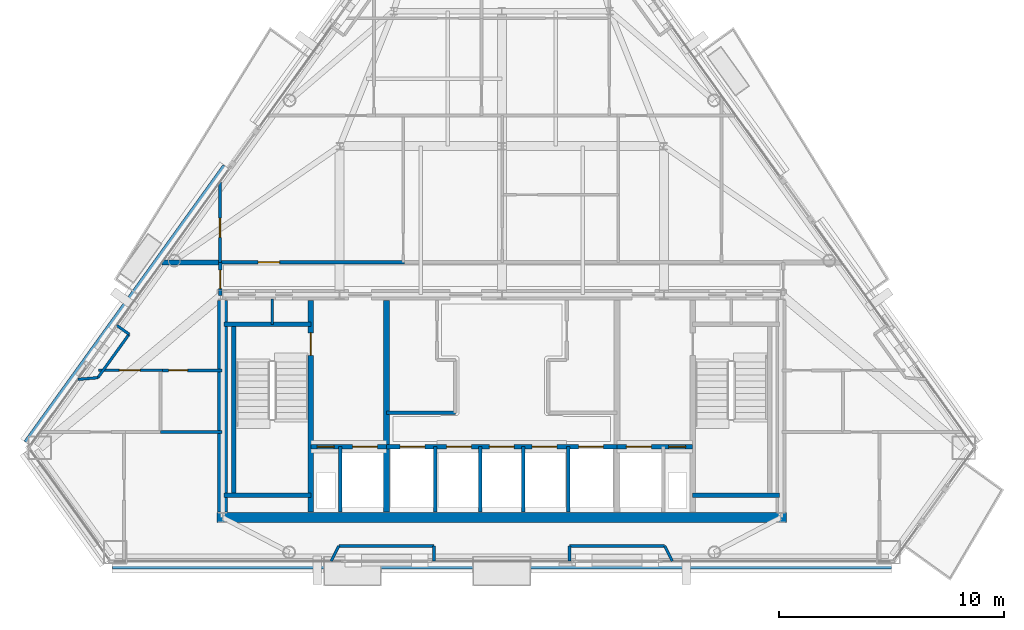
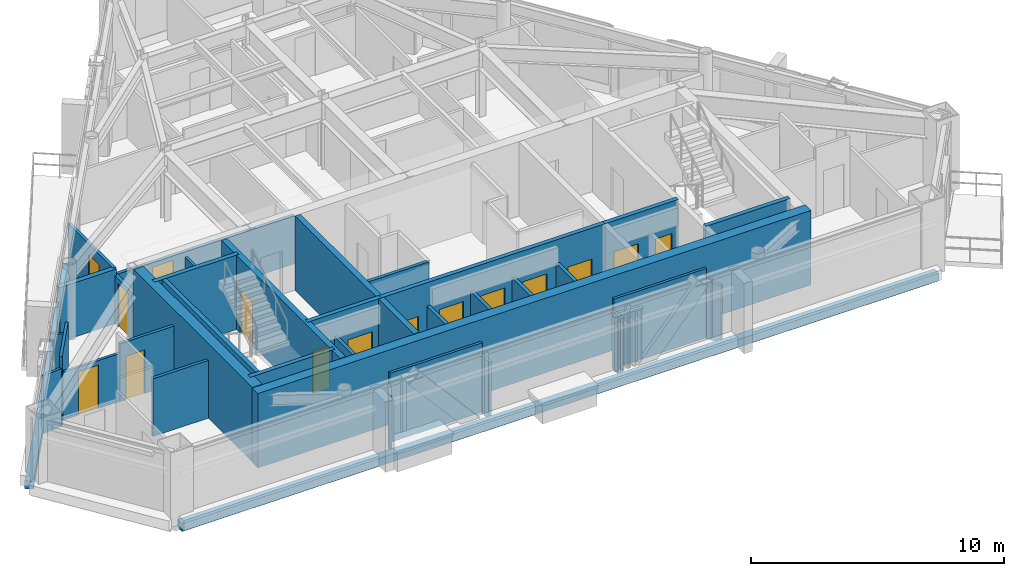
# One storey, part 7 of 12: 36 walls, 15 doors, 15 openings.
"""IFC4 building model written with IfcOpenShell, lengths in metres."""

from ifc_helpers import new_model, si_unit, direction, frame, frame_2d, origin, place, context, subcontext, project, spatial, rectangle, extrude, material, layer, layer_set, type_object, element, fill, save


model = new_model("IFC4")

# Units and contexts
model_context = context("Model", 3, precision=1e-05, world=origin(), true_north=direction((0.0, 1.0)))
body_context = subcontext(model_context, "Body", "Model", "MODEL_VIEW")
ifc_project = project(units=[si_unit("LENGTHUNIT", "METRE"), si_unit("AREAUNIT", "SQUARE_METRE"), si_unit("VOLUMEUNIT", "CUBIC_METRE"), si_unit("PLANEANGLEUNIT", "RADIAN"), si_unit("MASSUNIT", "GRAM", prefix="KILO")], contexts=[model_context])

# Site, building, storey
site_placement = place(None, origin())
site = spatial("IfcSite", under=ifc_project, at=site_placement, CompositionType="ELEMENT")
building_placement = place(site_placement, origin())
building = spatial("IfcBuilding", under=site, at=building_placement, Name="Talgorran Terracotta Tower", CompositionType="ELEMENT")
storey_placement = place(building_placement, frame((0.0, 0.0, 192.89990234375)))
storey = spatial("IfcBuildingStorey", under=building, at=storey_placement, Name="L50", CompositionType="ELEMENT", Elevation=192.89990234375)

# Walls
ifc_material_1 = material(Name="Concrete C50/60", Category="concrete")
ifc_layer_1 = layer(ifc_material_1, 0.199951171875, Name="WT_CORE_200")
ifc_layer_set_1 = layer_set([ifc_layer_1], Name="Concrete C50/60")
wall_type_1 = type_object("IfcWallType", Name="WT_CORE_200", PredefinedType="SOLIDWALL", material=ifc_layer_set_1)
for number, where, z_axis, x_axis, name in (
    (1, (-12.35009765625, -5.52001953125, 0.0), (0.0, 0.0, 1.0), (1.0, 0.0, 0.0), "WL-L50-CW-ST1-N"),
    (2, (-12.35009765625, -13.10009765625, 0.0), (0.0, 0.0, 1.0), (1.0, 0.0, 0.0), "WL-L50-CW-ST1-S"),
):
    element("IfcWall", number, at=place(storey_placement, frame(where, z_axis=z_axis, x_axis=x_axis)), inside=storey, type_object=wall_type_1, Name=name, PredefinedType="SOLIDWALL", context=body_context, shape_type="SweptSolid", body=[
        extrude(rectangle(XDim=3.8701171875, YDim=0.199951171875, at=frame_2d((1.93505859375, 0.0))), origin(), (0.0, 0.0, 1.0), 3.60009765625),
    ])
wall_1_placement = place(storey_placement, frame((-11.89990234375, -13.10009765625, 0.0), z_axis=(0.0, 0.0, 1.0), x_axis=(0.0, 1.0, 0.0)))
element("IfcWall", 3, at=wall_1_placement, inside=storey, type_object=wall_type_1, Name="WL-L50-CW-ST1-W", PredefinedType="SOLIDWALL", context=body_context, shape_type="SweptSolid", body=[
    extrude(rectangle(XDim=7.580078125, YDim=0.199951171875, at=frame_2d((3.7900390625, 0.0))), origin(), (0.0, 0.0, 1.0), 3.60009765625),
])
wall_2_placement = place(storey_placement, frame((8.47998046875, -13.10009765625, 0.0), z_axis=(0.0, 0.0, 1.0), x_axis=(1.0, 0.0, 0.0)))
element("IfcWall", 4, at=wall_2_placement, inside=storey, type_object=wall_type_1, Name="WL-L50-CW-ST2-S", PredefinedType="SOLIDWALL", context=body_context, shape_type="SweptSolid", body=[
    extrude(rectangle(XDim=3.8701171875, YDim=0.199951171875, at=frame_2d((1.93505859375, 0.0))), origin(), (0.0, 0.0, 1.0), 3.60009765625),
])

# Wall, openings, doors
wall_3_placement = place(storey_placement, frame((-8.47998046875, -10.949951171875, 0.0), z_axis=(0.0, 0.0, 1.0), x_axis=(1.0, 0.0, 0.0)))
wall_3 = element("IfcWall", 5, at=wall_3_placement, inside=storey, type_object=wall_type_1, Name="WL-L50-CW-H-SBW", PredefinedType="SOLIDWALL", context=body_context, shape_type="SweptSolid", body=[
    extrude(rectangle(XDim=3.35986328125, YDim=0.199951171875, at=frame_2d((1.679931640625, 0.0))), origin(), (0.0, 0.0, 1.0), 3.60009765625),
])
opening_1_placement = place(wall_3_placement, frame((0.280029296875, 0.0, 0.0)))
opening_1 = element("IfcOpeningElement", 6, at=opening_1_placement, cuts=wall_3, Name="Opening DR-RSW", PredefinedType="OPENING", context=body_context, shape_type="SweptSolid", body=[
    extrude(rectangle(XDim=0.756, YDim=2.054048828125, at=frame_2d((0.375, 1.027099609375))), frame((0.0, 0.10986328125, 0.0), z_axis=(0.0, -1.0, 0.0), x_axis=(1.0, 0.0, 0.0)), (0.0, 0.0, 1.0), 0.219970703125),
])
opening_2_placement = place(wall_3_placement, frame((1.85009765625, 0.0, 0.0)))
opening_2 = element("IfcOpeningElement", 7, at=opening_2_placement, cuts=wall_3, Name="Opening LD-FFL1", PredefinedType="OPENING", context=body_context, shape_type="SweptSolid", body=[
    extrude(rectangle(XDim=1.10609765625, YDim=2.10409765625, at=frame_2d((0.550048828125, 1.052001953125))), frame((0.0, 0.10986328125, 0.0), z_axis=(0.0, -1.0, 0.0), x_axis=(1.0, 0.0, 0.0)), (0.0, 0.0, 1.0), 0.219970703125),
])
ifc_material_2 = material(Name="Brushed Stainless Steel Grade 304", Category="steel")
door_type_1 = type_object("IfcDoorType", Name="DT_LIFT_LD1100", OperationType="DOUBLE_DOOR_SLIDING", PredefinedType="DOOR", material=ifc_material_2)
door_1_placement = place(opening_2_placement, origin())
door_1 = element("IfcDoor", 8, at=door_1_placement, inside=storey, type_object=door_type_1, Name="L50 Lift Landing Door LD-FFL1", OperationType="DOUBLE_DOOR_SLIDING", OverallHeight=2.10009765625, OverallWidth=1.10009765625, PredefinedType="DOOR", context=body_context, shape_type="SweptSolid", body=[
    extrude(rectangle(XDim=1.10009765625, YDim=2.10009765625, at=frame_2d((0.550048828125, 1.050048828125))), frame((0.0, 0.02490234375, 0.0), z_axis=(0.0, -1.0, 0.0), x_axis=(1.0, 0.0, 0.0)), (0.0, 0.0, 1.0), 0.050048828125),
])
fill(opening_2, door_1)
ifc_material_3 = material(Name="Fire-Rated Pressed Steel", Category="steel")
door_type_2 = type_object("IfcDoorType", Name="DT_RISER_750", OperationType="NOTDEFINED", PredefinedType="DOOR", material=ifc_material_3)
door_2_placement = place(opening_1_placement, origin())
door_2 = element("IfcDoor", 9, at=door_2_placement, inside=storey, type_object=door_type_2, Name="DR-RSW", OperationType="SINGLE_SWING_LEFT", OverallHeight=2.050048828125, OverallWidth=0.75, PredefinedType="DOOR", context=body_context, shape_type="SweptSolid", body=[
    extrude(rectangle(XDim=0.75, YDim=2.050048828125, at=frame_2d((0.375, 1.02490234375))), frame((0.0, 0.02490234375, 0.0), z_axis=(0.0, -1.0, 0.0), x_axis=(1.0, 0.0, 0.0)), (0.0, 0.0, 1.0), 0.050048828125),
])
fill(opening_1, door_2)

wall_4_placement = place(storey_placement, frame((-5.1201171875, -10.949951171875, 0.0), z_axis=(0.0, 0.0, 1.0), x_axis=(1.0, 0.0, 0.0)))
wall_4 = element("IfcWall", 10, at=wall_4_placement, inside=storey, type_object=wall_type_1, Name="WL-L50-CW-H-SBC", PredefinedType="SOLIDWALL", context=body_context, shape_type="SweptSolid", body=[
    extrude(rectangle(XDim=10.240234375, YDim=0.199951171875, at=frame_2d((5.1201171875, 0.0))), origin(), (0.0, 0.0, 1.0), 3.60009765625),
])
opening_3_placement = place(wall_4_placement, frame((0.60009765625, 0.0, 0.0)))
opening_3 = element("IfcOpeningElement", 11, at=opening_3_placement, cuts=wall_4, Name="Opening LD-OB1", PredefinedType="OPENING", context=body_context, shape_type="SweptSolid", body=[
    extrude(rectangle(XDim=1.10609765625, YDim=2.10409765625, at=frame_2d((0.550048828125, 1.052001953125))), frame((0.0, 0.10986328125, 0.0), z_axis=(0.0, -1.0, 0.0), x_axis=(1.0, 0.0, 0.0)), (0.0, 0.0, 1.0), 0.219970703125),
])
opening_4_placement = place(wall_4_placement, frame((2.669921875, 0.0, 0.0)))
opening_4 = element("IfcOpeningElement", 12, at=opening_4_placement, cuts=wall_4, Name="Opening LD-PLH1", PredefinedType="OPENING", context=body_context, shape_type="SweptSolid", body=[
    extrude(rectangle(XDim=1.10609765625, YDim=2.10409765625, at=frame_2d((0.550048828125, 1.052001953125))), frame((0.0, 0.10986328125, 0.0), z_axis=(0.0, -1.0, 0.0), x_axis=(1.0, 0.0, 0.0)), (0.0, 0.0, 1.0), 0.219970703125),
])
opening_5_placement = place(wall_4_placement, frame((4.570068359375, 0.0, 0.0)))
opening_5 = element("IfcOpeningElement", 13, at=opening_5_placement, cuts=wall_4, Name="Opening LD-PLH2", PredefinedType="OPENING", context=body_context, shape_type="SweptSolid", body=[
    extrude(rectangle(XDim=1.10609765625, YDim=2.10409765625, at=frame_2d((0.550048828125, 1.052001953125))), frame((0.0, 0.10986328125, 0.0), z_axis=(0.0, -1.0, 0.0), x_axis=(1.0, 0.0, 0.0)), (0.0, 0.0, 1.0), 0.219970703125),
])
opening_6_placement = place(wall_4_placement, frame((6.469970703125, 0.0, 0.0)))
opening_6 = element("IfcOpeningElement", 14, at=opening_6_placement, cuts=wall_4, Name="Opening LD-PLH3", PredefinedType="OPENING", context=body_context, shape_type="SweptSolid", body=[
    extrude(rectangle(XDim=1.10609765625, YDim=2.10409765625, at=frame_2d((0.550048828125, 1.052001953125))), frame((0.0, 0.10986328125, 0.0), z_axis=(0.0, -1.0, 0.0), x_axis=(1.0, 0.0, 0.0)), (0.0, 0.0, 1.0), 0.219970703125),
])
opening_7_placement = place(wall_4_placement, frame((8.5400390625, 0.0, 0.0)))
opening_7 = element("IfcOpeningElement", 15, at=opening_7_placement, cuts=wall_4, Name="Opening LD-SVL1", PredefinedType="OPENING", context=body_context, shape_type="SweptSolid", body=[
    extrude(rectangle(XDim=1.10609765625, YDim=2.10409765625, at=frame_2d((0.550048828125, 1.052001953125))), frame((0.0, 0.10986328125, 0.0), z_axis=(0.0, -1.0, 0.0), x_axis=(1.0, 0.0, 0.0)), (0.0, 0.0, 1.0), 0.219970703125),
])
door_3_placement = place(opening_3_placement, origin())
door_3 = element("IfcDoor", 16, at=door_3_placement, inside=storey, type_object=door_type_1, Name="L50 Lift Landing Door LD-OB1", OperationType="DOUBLE_DOOR_SLIDING", OverallHeight=2.10009765625, OverallWidth=1.10009765625, PredefinedType="DOOR", context=body_context, shape_type="SweptSolid", body=[
    extrude(rectangle(XDim=1.10009765625, YDim=2.10009765625, at=frame_2d((0.550048828125, 1.050048828125))), frame((0.0, 0.02490234375, 0.0), z_axis=(0.0, -1.0, 0.0), x_axis=(1.0, 0.0, 0.0)), (0.0, 0.0, 1.0), 0.050048828125),
])
fill(opening_3, door_3)
door_4_placement = place(opening_4_placement, origin())
door_4 = element("IfcDoor", 17, at=door_4_placement, inside=storey, type_object=door_type_1, Name="L50 Lift Landing Door LD-PLH1", OperationType="DOUBLE_DOOR_SLIDING", OverallHeight=2.10009765625, OverallWidth=1.10009765625, PredefinedType="DOOR", context=body_context, shape_type="SweptSolid", body=[
    extrude(rectangle(XDim=1.10009765625, YDim=2.10009765625, at=frame_2d((0.550048828125, 1.050048828125))), frame((0.0, 0.02490234375, 0.0), z_axis=(0.0, -1.0, 0.0), x_axis=(1.0, 0.0, 0.0)), (0.0, 0.0, 1.0), 0.050048828125),
])
fill(opening_4, door_4)
door_5_placement = place(opening_5_placement, origin())
door_5 = element("IfcDoor", 18, at=door_5_placement, inside=storey, type_object=door_type_1, Name="L50 Lift Landing Door LD-PLH2", OperationType="DOUBLE_DOOR_SLIDING", OverallHeight=2.10009765625, OverallWidth=1.10009765625, PredefinedType="DOOR", context=body_context, shape_type="SweptSolid", body=[
    extrude(rectangle(XDim=1.10009765625, YDim=2.10009765625, at=frame_2d((0.550048828125, 1.050048828125))), frame((0.0, 0.02490234375, 0.0), z_axis=(0.0, -1.0, 0.0), x_axis=(1.0, 0.0, 0.0)), (0.0, 0.0, 1.0), 0.050048828125),
])
fill(opening_5, door_5)
door_6_placement = place(opening_6_placement, origin())
door_6 = element("IfcDoor", 19, at=door_6_placement, inside=storey, type_object=door_type_1, Name="L50 Lift Landing Door LD-PLH3", OperationType="DOUBLE_DOOR_SLIDING", OverallHeight=2.10009765625, OverallWidth=1.10009765625, PredefinedType="DOOR", context=body_context, shape_type="SweptSolid", body=[
    extrude(rectangle(XDim=1.10009765625, YDim=2.10009765625, at=frame_2d((0.550048828125, 1.050048828125))), frame((0.0, 0.02490234375, 0.0), z_axis=(0.0, -1.0, 0.0), x_axis=(1.0, 0.0, 0.0)), (0.0, 0.0, 1.0), 0.050048828125),
])
fill(opening_6, door_6)
door_7_placement = place(opening_7_placement, origin())
door_7 = element("IfcDoor", 20, at=door_7_placement, inside=storey, type_object=door_type_1, Name="L50 Lift Landing Door LD-SVL1", OperationType="DOUBLE_DOOR_SLIDING", OverallHeight=2.10009765625, OverallWidth=1.10009765625, PredefinedType="DOOR", context=body_context, shape_type="SweptSolid", body=[
    extrude(rectangle(XDim=1.10009765625, YDim=2.10009765625, at=frame_2d((0.550048828125, 1.050048828125))), frame((0.0, 0.02490234375, 0.0), z_axis=(0.0, -1.0, 0.0), x_axis=(1.0, 0.0, 0.0)), (0.0, 0.0, 1.0), 0.050048828125),
])
fill(opening_7, door_7)

wall_5_placement = place(storey_placement, frame((5.1201171875, -10.949951171875, 0.0), z_axis=(0.0, 0.0, 1.0), x_axis=(1.0, 0.0, 0.0)))
wall_5 = element("IfcWall", 21, at=wall_5_placement, inside=storey, type_object=wall_type_1, Name="WL-L50-CW-H-SBE", PredefinedType="SOLIDWALL", context=body_context, shape_type="SweptSolid", body=[
    extrude(rectangle(XDim=3.35986328125, YDim=0.199951171875, at=frame_2d((1.679931640625, 0.0))), origin(), (0.0, 0.0, 1.0), 3.60009765625),
])
opening_8_placement = place(wall_5_placement, frame((0.419921875, 0.0, 0.0)))
opening_8 = element("IfcOpeningElement", 22, at=opening_8_placement, cuts=wall_5, Name="Opening LD-FFL2", PredefinedType="OPENING", context=body_context, shape_type="SweptSolid", body=[
    extrude(rectangle(XDim=1.10609765625, YDim=2.10409765625, at=frame_2d((0.550048828125, 1.052001953125))), frame((0.0, 0.10986328125, 0.0), z_axis=(0.0, -1.0, 0.0), x_axis=(1.0, 0.0, 0.0)), (0.0, 0.0, 1.0), 0.219970703125),
])
opening_9_placement = place(wall_5_placement, frame((2.300048828125, 0.0, 0.0)))
opening_9 = element("IfcOpeningElement", 23, at=opening_9_placement, cuts=wall_5, Name="Opening DR-RSE", PredefinedType="OPENING", context=body_context, shape_type="SweptSolid", body=[
    extrude(rectangle(XDim=0.756, YDim=2.054048828125, at=frame_2d((0.375, 1.027099609375))), frame((0.0, 0.10986328125, 0.0), z_axis=(0.0, -1.0, 0.0), x_axis=(1.0, 0.0, 0.0)), (0.0, 0.0, 1.0), 0.219970703125),
])
door_8_placement = place(opening_8_placement, origin())
door_8 = element("IfcDoor", 24, at=door_8_placement, inside=storey, type_object=door_type_1, Name="L50 Lift Landing Door LD-FFL2", OperationType="DOUBLE_DOOR_SLIDING", OverallHeight=2.10009765625, OverallWidth=1.10009765625, PredefinedType="DOOR", context=body_context, shape_type="SweptSolid", body=[
    extrude(rectangle(XDim=1.10009765625, YDim=2.10009765625, at=frame_2d((0.550048828125, 1.050048828125))), frame((0.0, 0.02490234375, 0.0), z_axis=(0.0, -1.0, 0.0), x_axis=(1.0, 0.0, 0.0)), (0.0, 0.0, 1.0), 0.050048828125),
])
fill(opening_8, door_8)
door_9_placement = place(opening_9_placement, origin())
door_9 = element("IfcDoor", 25, at=door_9_placement, inside=storey, type_object=door_type_2, Name="DR-RSE", OperationType="SINGLE_SWING_RIGHT", OverallHeight=2.050048828125, OverallWidth=0.75, PredefinedType="DOOR", context=body_context, shape_type="SweptSolid", body=[
    extrude(rectangle(XDim=0.75, YDim=2.050048828125, at=frame_2d((0.375, 1.02490234375))), frame((0.0, 0.02490234375, 0.0), z_axis=(0.0, -1.0, 0.0), x_axis=(1.0, 0.0, 0.0)), (0.0, 0.0, 1.0), 0.050048828125),
])
fill(opening_9, door_9)

# Wall, opening, door
ifc_layer_2 = layer(ifc_material_1, 0.25, Name="WT_CORE_250")
ifc_layer_set_2 = layer_set([ifc_layer_2], Name="Concrete C50/60")
wall_type_2 = type_object("IfcWallType", Name="WT_CORE_250", PredefinedType="SHEAR", material=ifc_layer_set_2)
wall_6_placement = place(storey_placement, frame((-8.47998046875, -13.85009765625, 0.0), z_axis=(0.0, 0.0, 1.0), x_axis=(0.0, 1.0, 0.0)))
wall_6 = element("IfcWall", 26, at=wall_6_placement, inside=storey, type_object=wall_type_2, Name="WL-L50-CW-V-W1", PredefinedType="SHEAR", context=body_context, shape_type="SweptSolid", body=[
    extrude(rectangle(XDim=9.400146484375, YDim=0.25, at=frame_2d((4.7001953125, 0.0))), origin(), (0.0, 0.0, 1.0), 3.60009765625),
])
opening_10_placement = place(wall_6_placement, frame((6.949951171875, 0.0, 0.0)))
opening_10 = element("IfcOpeningElement", 27, at=opening_10_placement, cuts=wall_6, Name="Opening DR-ST01", PredefinedType="OPENING", context=body_context, shape_type="SweptSolid", body=[
    extrude(rectangle(XDim=1.006, YDim=2.10409765625, at=frame_2d((0.5, 1.052001953125))), frame((0.0, 0.135009765625, 0.0), z_axis=(0.0, -1.0, 0.0), x_axis=(1.0, 0.0, 0.0)), (0.0, 0.0, 1.0), 0.27001953125),
])
door_type_3 = type_object("IfcDoorType", Name="DT_FIRE_1000", OperationType="NOTDEFINED", PredefinedType="DOOR", material=ifc_material_3)
door_10_placement = place(opening_10_placement, origin())
door_10 = element("IfcDoor", 28, at=door_10_placement, inside=storey, type_object=door_type_3, Name="DR-ST01", OperationType="SINGLE_SWING_LEFT", OverallHeight=2.10009765625, OverallWidth=1.0, PredefinedType="DOOR", context=body_context, shape_type="SweptSolid", body=[
    extrude(rectangle(XDim=1.0, YDim=2.10009765625, at=frame_2d((0.5, 1.050048828125))), frame((0.0, 0.02490234375, 0.0), z_axis=(0.0, -1.0, 0.0), x_axis=(1.0, 0.0, 0.0)), (0.0, 0.0, 1.0), 0.050048828125),
])
fill(opening_10, door_10)

# Walls
wall_7_placement = place(storey_placement, frame((-5.1201171875, -13.85009765625, 0.0), z_axis=(0.0, 0.0, 1.0), x_axis=(0.0, 1.0, 0.0)))
element("IfcWall", 29, at=wall_7_placement, inside=storey, type_object=wall_type_2, Name="WL-L50-CW-V-W2", PredefinedType="SHEAR", context=body_context, shape_type="SweptSolid", body=[
    extrude(rectangle(XDim=9.400146484375, YDim=0.25, at=frame_2d((4.7001953125, 0.0))), origin(), (0.0, 0.0, 1.0), 3.60009765625),
])
ifc_material_4 = material(Name="Concrete C65/80", Category="concrete")
ifc_layer_3 = layer(ifc_material_4, 0.449951171875, Name="WT_CORE_EXT")
ifc_layer_set_3 = layer_set([ifc_layer_3], Name="Concrete C65/80")
wall_type_3 = type_object("IfcWallType", Name="WT_CORE_EXT", PredefinedType="SHEAR", material=ifc_layer_set_3)
wall_8_placement = place(storey_placement, frame((-12.64990234375, -14.10009765625, 0.0), z_axis=(0.0, 0.0, 1.0), x_axis=(1.0, 0.0, 0.0)))
element("IfcWall", 30, at=wall_8_placement, inside=storey, type_object=wall_type_3, Name="WL-L50-CW-OUT-S", PredefinedType="SHEAR", context=body_context, shape_type="SweptSolid", body=[
    extrude(rectangle(XDim=25.2998046875, YDim=0.449951171875, at=frame_2d((12.64990234375, 0.0))), origin(), (0.0, 0.0, 1.0), 3.60009765625),
])
wall_9_placement = place(storey_placement, frame((-12.39990234375, -13.85009765625, 0.0), z_axis=(0.0, 0.0, 1.0), x_axis=(0.0, 1.0, 0.0)))
element("IfcWall", 31, at=wall_9_placement, inside=storey, type_object=wall_type_3, Name="WL-L50-CW-OUT-W", PredefinedType="SHEAR", context=body_context, shape_type="SweptSolid", body=[
    extrude(rectangle(XDim=9.400146484375, YDim=0.449951171875, at=frame_2d((4.7001953125, 0.0))), origin(), (0.0, 0.0, 1.0), 3.60009765625),
])
ifc_material_5 = material(Name="Fire-Rated Steel Stud Plasterboard", Category="steel")
ifc_layer_4 = layer(ifc_material_5, 0.14990234375, Name="WT_FIRE_150")
ifc_layer_set_4 = layer_set([ifc_layer_4], Name="Fire-Rated Steel Stud Plasterboard")
wall_type_4 = type_object("IfcWallType", Name="WT_FIRE_150", PredefinedType="PARTITIONING", material=ifc_layer_set_4)
wall_10_placement = place(storey_placement, frame((-5.1201171875, -9.449951171875, 0.0), z_axis=(0.0, 0.0, 1.0), x_axis=(1.0, 0.0, 0.0)))
element("IfcWall", 32, at=wall_10_placement, inside=storey, type_object=wall_type_4, Name="WL-L50-CW-H-W4N", PredefinedType="PARTITIONING", context=body_context, shape_type="SweptSolid", body=[
    extrude(rectangle(XDim=3.06005859375, YDim=0.14990234375, at=frame_2d((1.530029296875, 0.0))), origin(), (0.0, 0.0, 1.0), 3.35009765625),
])

# Wall, opening, door
wall_11_placement = place(storey_placement, frame((-12.5, -2.760009765625, 0.0), z_axis=(0.0, 0.0, 1.0), x_axis=(1.0, 0.0, 0.0)))
wall_11 = element("IfcWall", 33, at=wall_11_placement, inside=storey, type_object=wall_type_4, Name="WL-L50-W-L50-R03", PredefinedType="PARTITIONING", context=body_context, shape_type="SweptSolid", body=[
    extrude(rectangle(XDim=8.179931640625, YDim=0.14990234375, at=frame_2d((4.08984375, 0.0))), origin(), (0.0, 0.0, 1.0), 2.3251953125),
])
opening_11_placement = place(wall_11_placement, frame((1.677734375, 0.0, 0.0)))
opening_11 = element("IfcOpeningElement", 34, at=opening_11_placement, cuts=wall_11, Name="Opening DR-L50-R12", PredefinedType="OPENING", context=body_context, shape_type="SweptSolid", body=[
    extrude(rectangle(XDim=0.955951171875, YDim=2.10409765625, at=frame_2d((0.47509765625, 1.052001953125))), frame((0.0, 0.0849609375, 0.0), z_axis=(0.0, -1.0, 0.0), x_axis=(1.0, 0.0, 0.0)), (0.0, 0.0, 1.0), 0.169921875),
])
ifc_material_6 = material(Name="Fire-Rated Timber Core", Category="wood")
door_type_4 = type_object("IfcDoorType", Name="DT_FIRE_950", OperationType="NOTDEFINED", PredefinedType="DOOR", material=ifc_material_6)
door_11_placement = place(opening_11_placement, origin())
door_11 = element("IfcDoor", 35, at=door_11_placement, inside=storey, type_object=door_type_4, Name="DR-L50-R12", OperationType="SINGLE_SWING_RIGHT", OverallHeight=2.10009765625, OverallWidth=0.949951171875, PredefinedType="DOOR", context=body_context, shape_type="SweptSolid", body=[
    extrude(rectangle(XDim=0.949951171875, YDim=2.10009765625, at=frame_2d((0.47509765625, 1.050048828125))), frame((0.0, 0.02490234375, 0.0), z_axis=(0.0, -1.0, 0.0), x_axis=(1.0, 0.0, 0.0)), (0.0, 0.0, 1.0), 0.050048828125),
])
fill(opening_11, door_11)

wall_12_placement = place(storey_placement, frame((-12.5, -4.239990234375, 0.0), z_axis=(0.0, 0.0, 1.0), x_axis=(0.0, 1.0, 0.0)))
wall_12 = element("IfcWall", 36, at=wall_12_placement, inside=storey, type_object=wall_type_4, Name="WL-L50-W-L50-R01", PredefinedType="PARTITIONING", context=body_context, shape_type="SweptSolid", body=[
    extrude(rectangle(XDim=1.47998046875, YDim=0.14990234375, at=frame_2d((0.739990234375, 0.0))), origin(), (0.0, 0.0, 1.0), 2.3251953125),
])
opening_12_placement = place(wall_12_placement, frame((0.31494140625, 0.0, 0.0)))
opening_12 = element("IfcOpeningElement", 37, at=opening_12_placement, cuts=wall_12, Name="Opening DR-L50-R01", PredefinedType="OPENING", context=body_context, shape_type="SweptSolid", body=[
    extrude(rectangle(XDim=0.826068359375, YDim=2.10409765625, at=frame_2d((0.41015625, 1.052001953125))), frame((0.0, 0.0849609375, 0.0), z_axis=(0.0, -1.0, 0.0), x_axis=(1.0, 0.0, 0.0)), (0.0, 0.0, 1.0), 0.169921875),
])
ifc_material_7 = material(Name="Moisture-Resistant Solid Timber", Category="wood")
door_type_5 = type_object("IfcDoorType", Name="DT_INT_820", OperationType="NOTDEFINED", PredefinedType="DOOR", material=ifc_material_7)
door_12_placement = place(opening_12_placement, origin())
door_12 = element("IfcDoor", 38, at=door_12_placement, inside=storey, type_object=door_type_5, Name="DR-L50-R01", OperationType="SINGLE_SWING_LEFT", OverallHeight=2.10009765625, OverallWidth=0.820068359375, PredefinedType="DOOR", context=body_context, shape_type="SweptSolid", body=[
    extrude(rectangle(XDim=0.820068359375, YDim=2.10009765625, at=frame_2d((0.41015625, 1.050048828125))), frame((0.0, 0.02490234375, 0.0), z_axis=(0.0, -1.0, 0.0), x_axis=(1.0, 0.0, 0.0)), (0.0, 0.0, 1.0), 0.050048828125),
])
fill(opening_12, door_12)

# Walls
ifc_material_8 = material(Name="Concrete C40/50", Category="concrete")
ifc_layer_5 = layer(ifc_material_8, 0.219970703125, Name="WT_PARAPET_RC")
ifc_layer_set_5 = layer_set([ifc_layer_5], Name="Concrete C40/50")
wall_type_5 = type_object("IfcWallType", Name="WT_PARAPET_RC", PredefinedType="PARAPET", material=ifc_layer_set_5)
wall_13_placement = place(storey_placement, frame((-17.3046875, -16.201171875, -0.199951171875), z_axis=(0.0, 0.0, 1.0), x_axis=(1.0, 0.0, 0.0)))
element("IfcWall", 39, at=wall_13_placement, inside=storey, type_object=wall_type_5, Name="L50 Striped Portal Precast Cornice F1", PredefinedType="PARAPET", context=body_context, shape_type="SweptSolid", body=[
    extrude(rectangle(XDim=34.609375, YDim=0.360107421875, at=frame_2d((17.3046875, 0.0))), origin(), (0.0, 0.0, 1.0), 0.380126953125),
])
wall_14_placement = place(storey_placement, frame((-12.2451171875, 1.47509765625, -0.199951171875), z_axis=(0.0, 0.0, 1.0), x_axis=(-0.583980615351, -0.811767602762, 0.0)))
element("IfcWall", 40, at=wall_14_placement, inside=storey, type_object=wall_type_5, Name="L50 Striped Portal Precast Cornice F61", PredefinedType="PARAPET", context=body_context, shape_type="SweptSolid", body=[
    extrude(rectangle(XDim=15.123046875, YDim=0.360107421875, at=frame_2d((7.5615234375, 0.0))), origin(), (0.0, 0.0, 1.0), 0.380126953125),
])
ifc_material_9 = material(Name="Acoustic Masonry and Plasterboard", Category="masonry")
ifc_layer_6 = layer(ifc_material_9, 0.219970703125, Name="WT_PARTY_220")
ifc_layer_set_6 = layer_set([ifc_layer_6], Name="Acoustic Masonry and Plasterboard")
wall_type_6 = type_object("IfcWallType", Name="WT_PARTY_220", PredefinedType="PARTITIONING", material=ifc_layer_set_6)
wall_15_placement = place(storey_placement, frame((-15.0947265625, -2.760009765625, 0.0), z_axis=(0.0, 0.0, 1.0), x_axis=(1.0, 0.0, 0.0)))
element("IfcWall", 41, at=wall_15_placement, inside=storey, type_object=wall_type_6, Name="WL-L50-W-L50-R10", PredefinedType="PARTITIONING", context=body_context, shape_type="SweptSolid", body=[
    extrude(rectangle(XDim=2.5947265625, YDim=0.219970703125, at=frame_2d((1.29736328125, 0.0))), origin(), (0.0, 0.0, 1.0), 2.625),
])
ifc_material_10 = material(Name="Insulated Steel Stud Plasterboard", Category="steel")
ifc_layer_7 = layer(ifc_material_10, 0.1201171875, Name="WT_PART_120")
ifc_layer_set_7 = layer_set([ifc_layer_7], Name="Insulated Steel Stud Plasterboard")
wall_type_7 = type_object("IfcWallType", Name="WT_PART_120", PredefinedType="PARTITIONING", material=ifc_layer_set_7)
wall_16_placement = place(storey_placement, frame((-10.199951171875, -5.52001953125, 0.0), z_axis=(0.0, 0.0, 1.0), x_axis=(0.0, 1.0, 0.0)))
element("IfcWall", 42, at=wall_16_placement, inside=storey, type_object=wall_type_7, Name="WL-L50-CW-CSW-DIV", PredefinedType="PARTITIONING", context=body_context, shape_type="SweptSolid", body=[
    extrude(rectangle(XDim=1.1201171875, YDim=0.1201171875, at=frame_2d((0.56005859375, 0.0))), origin(), (0.0, 0.0, 1.0), 3.35009765625),
])
for number, where, z_axis, x_axis, name in (
    (43, (-7.23828125, -15.361083984375, 0.0), (0.0, 0.0, 1.0), (1.0, 0.0, 0.0), "WL-L50-BW-L50-01"),
    (44, (3.006591796875, -15.361083984375, 0.0), (0.0, 0.0, 1.0), (1.0, 0.0, 0.0), "WL-L50-BW-L50-06"),
):
    element("IfcWall", number, at=place(storey_placement, frame(where, z_axis=z_axis, x_axis=x_axis)), inside=storey, type_object=wall_type_7, Name=name, PredefinedType="PARTITIONING", context=body_context, shape_type="SweptSolid", body=[
        extrude(rectangle(XDim=4.231689453125, YDim=0.1201171875, at=frame_2d((2.11572265625, 0.0))), origin(), (0.0, 0.0, 1.0), 3.35009765625),
    ])

# Wall, opening, door
wall_17_placement = place(storey_placement, frame((-17.919921875, -7.56005859375, 0.0), z_axis=(0.0, 0.0, 1.0), x_axis=(1.0, 0.0, 0.0)))
wall_17 = element("IfcWall", 45, at=wall_17_placement, inside=storey, type_object=wall_type_7, Name="WL-L50-W-L50-R09", PredefinedType="PARTITIONING", context=body_context, shape_type="SweptSolid", body=[
    extrude(rectangle(XDim=2.83984375, YDim=0.1201171875, at=frame_2d((1.419921875, 0.0))), origin(), (0.0, 0.0, 1.0), 2.3251953125),
])
opening_13_placement = place(wall_17_placement, frame((0.931884765625, 0.0, 0.0)))
opening_13 = element("IfcOpeningElement", 46, at=opening_13_placement, cuts=wall_17, Name="Opening DR-L50-R03", PredefinedType="OPENING", context=body_context, shape_type="SweptSolid", body=[
    extrude(rectangle(XDim=0.925921875, YDim=2.10409765625, at=frame_2d((0.4599609375, 1.052001953125))), frame((0.0, 0.070068359375, 0.0), z_axis=(0.0, -1.0, 0.0), x_axis=(1.0, 0.0, 0.0)), (0.0, 0.0, 1.0), 0.14013671875),
])
ifc_material_11 = material(Name="Solid-Core Painted Timber", Category="wood")
door_type_6 = type_object("IfcDoorType", Name="DT_INT_920", OperationType="NOTDEFINED", PredefinedType="DOOR", material=ifc_material_11)
door_13_placement = place(opening_13_placement, origin())
door_13 = element("IfcDoor", 47, at=door_13_placement, inside=storey, type_object=door_type_6, Name="DR-L50-R03", OperationType="SINGLE_SWING_LEFT", OverallHeight=2.10009765625, OverallWidth=0.919921875, PredefinedType="DOOR", context=body_context, shape_type="SweptSolid", body=[
    extrude(rectangle(XDim=0.919921875, YDim=2.10009765625, at=frame_2d((0.4599609375, 1.050048828125))), frame((0.0, 0.02490234375, 0.0), z_axis=(0.0, -1.0, 0.0), x_axis=(1.0, 0.0, 0.0)), (0.0, 0.0, 1.0), 0.050048828125),
])
fill(opening_13, door_13)

# Walls
wall_18_placement = place(storey_placement, frame((-16.55615234375, -5.955810546875, 0.0), z_axis=(0.0, 0.0, 1.0), x_axis=(-0.583963896956, -0.811779629611, 0.0)))
element("IfcWall", 48, at=wall_18_placement, inside=storey, type_object=wall_type_7, Name="WL-L50-BW-L50-08", PredefinedType="PARTITIONING", context=body_context, shape_type="SweptSolid", body=[
    extrude(rectangle(XDim=2.3779296875, YDim=0.1201171875, at=frame_2d((1.18896484375, 0.0))), origin(), (0.0, 0.0, 1.0), 3.35009765625),
])
wall_19_placement = place(storey_placement, frame((-17.94482421875, -7.88623046875, 0.0), z_axis=(0.0, 0.0, 1.0), x_axis=(-0.996387556444, -0.084922537432, 0.0)))
element("IfcWall", 49, at=wall_19_placement, inside=storey, type_object=wall_type_7, Name="WL-L50-BW-L50-09", PredefinedType="PARTITIONING", context=body_context, shape_type="SweptSolid", body=[
    extrude(rectangle(XDim=0.882568359375, YDim=0.1201171875, at=frame_2d((0.44140625, 0.0))), origin(), (0.0, 0.0, 1.0), 2.7919921875),
])
for number, where, z_axis, x_axis, name in (
    (50, (-7.576416015625, -16.031005859375, 0.0), (0.0, 0.0, 1.0), (0.450593916723, 0.892729030676, 0.0), "WL-L50-BW-L50-03"),
    (51, (7.23828125, -15.361083984375, 0.0), (0.0, 0.0, 1.0), (0.450593916723, -0.892729030676, 0.0), "WL-L50-BW-L50-04"),
):
    element("IfcWall", number, at=place(storey_placement, frame(where, z_axis=z_axis, x_axis=x_axis)), inside=storey, type_object=wall_type_7, Name=name, PredefinedType="PARTITIONING", context=body_context, shape_type="SweptSolid", body=[
        extrude(rectangle(XDim=0.75048828125, YDim=0.1201171875, at=frame_2d((0.375244140625, 0.0))), origin(), (0.0, 0.0, 1.0), 2.7919921875),
    ])
for number, where, z_axis, x_axis, name in (
    (52, (-3.006591796875, -15.361083984375, 0.0), (0.0, 0.0, 1.0), (0.0, -1.0, 0.0), "WL-L50-BW-L50-02"),
    (53, (3.006591796875, -16.031005859375, 0.0), (0.0, 0.0, 1.0), (0.0, 1.0, 0.0), "WL-L50-BW-L50-05"),
    (54, (-17.10009765625, -5.564697265625, 0.0), (0.0, 0.0, 1.0), (0.811907418628, -0.583786213932, 0.0), "WL-L50-BW-L50-07"),
):
    element("IfcWall", number, at=place(storey_placement, frame(where, z_axis=z_axis, x_axis=x_axis)), inside=storey, type_object=wall_type_7, Name=name, PredefinedType="PARTITIONING", context=body_context, shape_type="SweptSolid", body=[
        extrude(rectangle(XDim=0.669921875, YDim=0.1201171875, at=frame_2d((0.3349609375, 0.0))), origin(), (0.0, 0.0, 1.0), 2.7919921875),
    ])

# Wall, opening, door
ifc_material_12 = material(Name="Moisture-Resistant Stud Wall")
ifc_layer_8 = layer(ifc_material_12, 0.135009765625, Name="WT_PART_135")
ifc_layer_set_8 = layer_set([ifc_layer_8], Name="Moisture-Resistant Stud Wall")
wall_type_8 = type_object("IfcWallType", Name="WT_PART_135", PredefinedType="PARTITIONING", material=ifc_layer_set_8)
wall_20_placement = place(storey_placement, frame((-12.52001953125, -2.760009765625, 0.0), z_axis=(0.0, 0.0, 1.0), x_axis=(0.0, 1.0, 0.0)))
wall_20 = element("IfcWall", 55, at=wall_20_placement, inside=storey, type_object=wall_type_8, Name="WL-L50-W-L50-R24", PredefinedType="PARTITIONING", context=body_context, shape_type="SweptSolid", body=[
    extrude(rectangle(XDim=3.5791015625, YDim=0.135009765625, at=frame_2d((1.78955078125, 0.0))), origin(), (0.0, 0.0, 1.0), 2.625),
])
opening_14_placement = place(wall_20_placement, frame((1.114501953125, 0.0, 0.0)))
opening_14 = element("IfcOpeningElement", 56, at=opening_14_placement, cuts=wall_20, Name="Opening DR-L50-R11", PredefinedType="OPENING", context=body_context, shape_type="SweptSolid", body=[
    extrude(rectangle(XDim=0.85609765625, YDim=2.10409765625, at=frame_2d((0.425048828125, 1.052001953125))), frame((0.0, 0.07763671875, 0.0), z_axis=(0.0, -1.0, 0.0), x_axis=(1.0, 0.0, 0.0)), (0.0, 0.0, 1.0), 0.155029296875),
])
door_type_7 = type_object("IfcDoorType", Name="DT_INT_850", OperationType="NOTDEFINED", PredefinedType="DOOR", material=ifc_material_7)
door_14_placement = place(opening_14_placement, origin())
door_14 = element("IfcDoor", 57, at=door_14_placement, inside=storey, type_object=door_type_7, Name="DR-L50-R11", OperationType="SINGLE_SWING_LEFT", OverallHeight=2.10009765625, OverallWidth=0.85009765625, PredefinedType="DOOR", context=body_context, shape_type="SweptSolid", body=[
    extrude(rectangle(XDim=0.85009765625, YDim=2.10009765625, at=frame_2d((0.425048828125, 1.050048828125))), frame((0.0, 0.02490234375, 0.0), z_axis=(0.0, -1.0, 0.0), x_axis=(1.0, 0.0, 0.0)), (0.0, 0.0, 1.0), 0.050048828125),
])
fill(opening_14, door_14)

wall_21_placement = place(storey_placement, frame((-15.077880859375, -7.56005859375, 0.0), z_axis=(0.0, 0.0, 1.0), x_axis=(1.0, 0.0, 0.0)))
wall_21 = element("IfcWall", 58, at=wall_21_placement, inside=storey, type_object=wall_type_8, Name="WL-L50-W-L50-R08", PredefinedType="PARTITIONING", context=body_context, shape_type="SweptSolid", body=[
    extrude(rectangle(XDim=2.637939453125, YDim=0.135009765625, at=frame_2d((1.31884765625, 0.0))), origin(), (0.0, 0.0, 1.0), 2.7919921875),
])
opening_15_placement = place(wall_21_placement, frame((0.272216796875, 0.0, 0.0)))
opening_15 = element("IfcOpeningElement", 59, at=opening_15_placement, cuts=wall_21, Name="Opening DR-L50-R02", PredefinedType="OPENING", context=body_context, shape_type="SweptSolid", body=[
    extrude(rectangle(XDim=0.85609765625, YDim=2.10409765625, at=frame_2d((0.425048828125, 1.052001953125))), frame((0.0, 0.07763671875, 0.0), z_axis=(0.0, -1.0, 0.0), x_axis=(1.0, 0.0, 0.0)), (0.0, 0.0, 1.0), 0.155029296875),
])
door_15_placement = place(opening_15_placement, origin())
door_15 = element("IfcDoor", 60, at=door_15_placement, inside=storey, type_object=door_type_7, Name="DR-L50-R02", OperationType="SINGLE_SWING_RIGHT", OverallHeight=2.10009765625, OverallWidth=0.85009765625, PredefinedType="DOOR", context=body_context, shape_type="SweptSolid", body=[
    extrude(rectangle(XDim=0.85009765625, YDim=2.10009765625, at=frame_2d((0.425048828125, 1.050048828125))), frame((0.0, 0.02490234375, 0.0), z_axis=(0.0, -1.0, 0.0), x_axis=(1.0, 0.0, 0.0)), (0.0, 0.0, 1.0), 0.050048828125),
])
fill(opening_15, door_15)

# Walls
wall_22_placement = place(storey_placement, frame((-15.159912109375, -10.300048828125, 0.0), z_axis=(0.0, 0.0, 1.0), x_axis=(1.0, 0.0, 0.0)))
element("IfcWall", 61, at=wall_22_placement, inside=storey, type_object=wall_type_8, Name="WL-L50-W-L50-R12", PredefinedType="PARTITIONING", context=body_context, shape_type="SweptSolid", body=[
    extrude(rectangle(XDim=2.719970703125, YDim=0.135009765625, at=frame_2d((1.35986328125, 0.0))), origin(), (0.0, 0.0, 1.0), 2.7919921875),
])
ifc_material_13 = material(Name="Fire-Rated Shaftwall")
ifc_layer_9 = layer(ifc_material_13, 0.159912109375, Name="WT_PART_150")
ifc_layer_set_9 = layer_set([ifc_layer_9], Name="Fire-Rated Shaftwall")
wall_type_9 = type_object("IfcWallType", Name="WT_PART_150", PredefinedType="PARTITIONING", material=ifc_layer_set_9)
for number, where, z_axis, x_axis, name in (
    (62, (-7.179931640625, -13.85009765625, 0.0), (0.0, 0.0, 1.0), (0.0, 1.0, 0.0), "WL-L50-CW-RSW"),
    (63, (-2.949951171875, -13.85009765625, 0.0), (0.0, 0.0, 1.0), (0.0, 1.0, 0.0), "WL-L50-CW-OB-E"),
    (64, (2.949951171875, -13.85009765625, 0.0), (0.0, 0.0, 1.0), (0.0, 1.0, 0.0), "WL-L50-CW-SV-W"),
    (65, (-0.949951171875, -13.85009765625, 0.0), (0.0, 0.0, 1.0), (0.0, 1.0, 0.0), "WL-L50-CW-PLH-D1"),
    (66, (0.949951171875, -13.85009765625, 0.0), (0.0, 0.0, 1.0), (0.0, 1.0, 0.0), "WL-L50-CW-PLH-D2"),
):
    element("IfcWall", number, at=place(storey_placement, frame(where, z_axis=z_axis, x_axis=x_axis)), inside=storey, type_object=wall_type_9, Name=name, PredefinedType="PARTITIONING", context=body_context, shape_type="SweptSolid", body=[
        extrude(rectangle(XDim=2.900146484375, YDim=0.159912109375, at=frame_2d((1.4501953125, 0.0))), origin(), (0.0, 0.0, 1.0), 2.47509765625),
    ])

save(model, "model.ifc")
